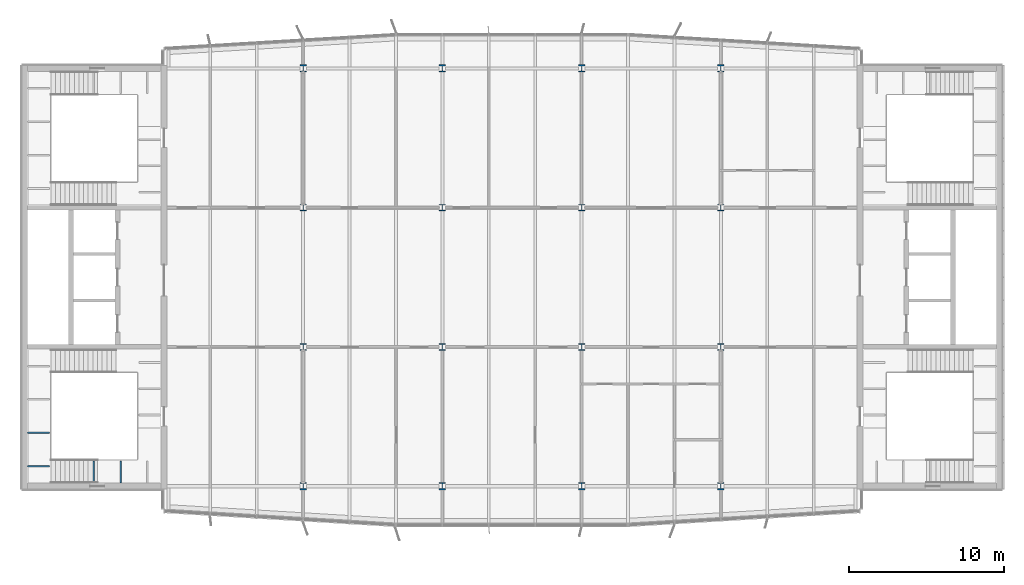
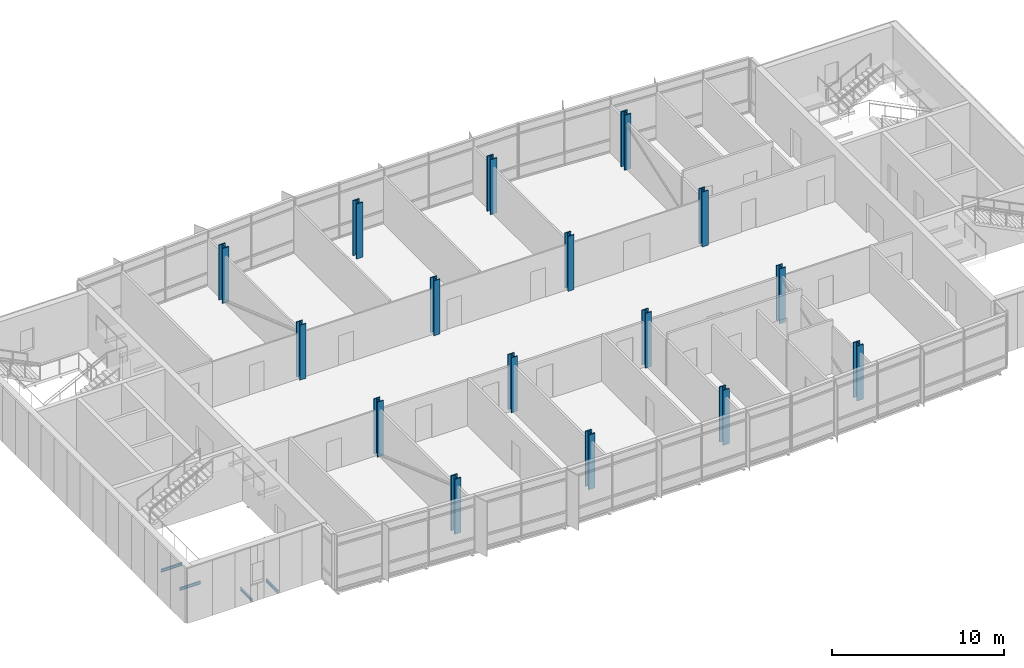
# One storey, part 1 of 17: 16 columns, 4 beams.
"""IFC4 building model written with IfcOpenShell, lengths in metres."""

from ifc_helpers import new_model, si_unit, direction, frame, origin, origin_2d, place, context, subcontext, project, spatial, i_section, extrude, material, material_profile, profile_set, type_object, element, save


model = new_model("IFC4")

# Units and contexts
model_context = context("Model", 3, precision=1e-05, world=origin(), true_north=direction((0.0, 1.0)))
body_context = subcontext(model_context, "Body", "Model", "MODEL_VIEW")
ifc_project = project(units=[si_unit("LENGTHUNIT", "METRE"), si_unit("AREAUNIT", "SQUARE_METRE"), si_unit("VOLUMEUNIT", "CUBIC_METRE"), si_unit("PLANEANGLEUNIT", "RADIAN"), si_unit("MASSUNIT", "GRAM", prefix="KILO")], contexts=[model_context])

# Site, building, storey
site_placement = place(None, origin())
site = spatial("IfcSite", under=ifc_project, at=site_placement, CompositionType="ELEMENT")
building_placement = place(site_placement, origin())
building = spatial("IfcBuilding", under=site, at=building_placement, Name="Azimuth Sports and Learning Centre", CompositionType="ELEMENT")
storey_placement = place(building_placement, frame((0.0, 0.0, 36.300048828125)))
storey = spatial("IfcBuildingStorey", under=building, at=storey_placement, Name="L07", CompositionType="ELEMENT", Elevation=36.300048828125)

# Columns
ifc_material_1 = material(Name="Steel S460", Category="steel")
ifc_material_profile_1 = material_profile(ifc_material_1, i_section(OverallWidth=0.412109375, OverallDepth=0.43505859375, WebThickness=0.035888671875, FlangeThickness=0.057373046875, FilletRadius=0.014892578125, at=origin_2d()), Name="HD 400x463")
ifc_profile_set_1 = profile_set([ifc_material_profile_1], Name="Steel S460")
column_type_1 = type_object("IfcColumnType", Name="Column HD 400x463", PredefinedType="COLUMN", material=ifc_profile_set_1)
for number, where, z_axis, x_axis, name in (
    (1, (72.0, 99.0, 0.0), (0.0, 0.0, 1.0), (1.0, 0.0, 0.0), "Tower column 9M L07"),
    (2, (81.0, 99.0, 0.0), (0.0, 0.0, 1.0), (1.0, 0.0, 0.0), "Tower column 10M L07"),
    (3, (90.0, 99.0, 0.0), (0.0, 0.0, 1.0), (1.0, 0.0, 0.0), "Tower column 11M L07"),
    (4, (99.0, 99.0, 0.0), (0.0, 0.0, 1.0), (1.0, 0.0, 0.0), "Tower column 12M L07"),
    (5, (72.0, 108.0, 0.0), (0.0, 0.0, 1.0), (1.0, 0.0, 0.0), "Tower column 9N L07"),
    (6, (81.0, 108.0, 0.0), (0.0, 0.0, 1.0), (1.0, 0.0, 0.0), "Tower column 10N L07"),
    (7, (90.0, 108.0, 0.0), (0.0, 0.0, 1.0), (1.0, 0.0, 0.0), "Tower column 11N L07"),
    (8, (99.0, 108.0, 0.0), (0.0, 0.0, 1.0), (1.0, 0.0, 0.0), "Tower column 12N L07"),
):
    element("IfcColumn", number, at=place(storey_placement, frame(where, z_axis=z_axis, x_axis=x_axis)), inside=storey, type_object=column_type_1, Name=name, PredefinedType="COLUMN", context=body_context, shape_type="SweptSolid", body=[
        extrude(i_section(OverallWidth=0.412109375, OverallDepth=0.43505859375, WebThickness=0.035888671875, FlangeThickness=0.057373046875, FilletRadius=0.014892578125, at=origin_2d()), origin(), (0.0, 0.0, 1.0), 3.89990234375),
    ])
ifc_material_2 = material(Name="Steel S460", Category="steel")
ifc_material_profile_2 = material_profile(ifc_material_2, i_section(OverallWidth=0.424072265625, OverallDepth=0.47412109375, WebThickness=0.047607421875, FlangeThickness=0.0771484375, FilletRadius=0.014892578125, at=origin_2d()), Name="HD 400x634")
ifc_profile_set_2 = profile_set([ifc_material_profile_2], Name="Steel S460")
column_type_2 = type_object("IfcColumnType", Name="Column HD 400x634", PredefinedType="COLUMN", material=ifc_profile_set_2)
for number, where, z_axis, x_axis, name in (
    (9, (72.0, 90.0, 0.0), (0.0, 0.0, 1.0), (1.0, 0.0, 0.0), "Hall column 9L L07"),
    (10, (81.0, 90.0, 0.0), (0.0, 0.0, 1.0), (1.0, 0.0, 0.0), "Hall column 10L L07"),
    (11, (90.0, 90.0, 0.0), (0.0, 0.0, 1.0), (1.0, 0.0, 0.0), "Hall column 11L L07"),
    (12, (99.0, 90.0, 0.0), (0.0, 0.0, 1.0), (1.0, 0.0, 0.0), "Hall column 12L L07"),
    (13, (72.0, 117.0, 0.0), (0.0, 0.0, 1.0), (1.0, 0.0, 0.0), "Hall column 9P L07"),
    (14, (81.0, 117.0, 0.0), (0.0, 0.0, 1.0), (1.0, 0.0, 0.0), "Hall column 10P L07"),
    (15, (90.0, 117.0, 0.0), (0.0, 0.0, 1.0), (1.0, 0.0, 0.0), "Hall column 11P L07"),
    (16, (99.0, 117.0, 0.0), (0.0, 0.0, 1.0), (1.0, 0.0, 0.0), "Hall column 12P L07"),
):
    element("IfcColumn", number, at=place(storey_placement, frame(where, z_axis=z_axis, x_axis=x_axis)), inside=storey, type_object=column_type_2, Name=name, PredefinedType="COLUMN", context=body_context, shape_type="SweptSolid", body=[
        extrude(i_section(OverallWidth=0.424072265625, OverallDepth=0.47412109375, WebThickness=0.047607421875, FlangeThickness=0.0771484375, FilletRadius=0.014892578125, at=origin_2d()), origin(), (0.0, 0.0, 1.0), 3.89990234375),
    ])

# Beams
ifc_material_3 = material(Name="Steel S355", Category="steel")
ifc_material_profile_3 = material_profile(ifc_material_3, i_section(OverallWidth=0.10009765625, OverallDepth=0.199951171875, WebThickness=0.005615234375, FlangeThickness=0.008544921875, FilletRadius=0.011962890625, at=origin_2d()), Name="IPE 200")
ifc_profile_set_3 = profile_set([ifc_material_profile_3], Name="Steel S355")
beam_type = type_object("IfcBeamType", Name="Beam IPE 200", PredefinedType="BEAM", material=ifc_profile_set_3)
for number, where, z_axis, x_axis, name in (
    (17, (58.473388671875, 90.199951171875, -0.300048828125), (0.0, 1.0, 0.0), (-1.0, 0.0, 0.0), "Landing bracket W1 L07 69"),
    (18, (60.199951171875, 90.199951171875, -0.300048828125), (0.0, 1.0, 0.0), (-1.0, 0.0, 0.0), "Landing bracket W1 L07 70"),
    (19, (54.199951171875, 91.288818359375, 1.349853515625), (1.0, 0.0, 0.0), (0.0, 1.0, 0.0), "Landing bracket W1 L07 72"),
    (20, (54.199951171875, 93.4462890625, 1.349853515625), (1.0, 0.0, 0.0), (0.0, 1.0, 0.0), "Landing bracket W1 L07 73"),
):
    element("IfcBeam", number, at=place(storey_placement, frame(where, z_axis=z_axis, x_axis=x_axis)), inside=storey, type_object=beam_type, Name=name, PredefinedType="BEAM", context=body_context, shape_type="SweptSolid", body=[
        extrude(i_section(OverallWidth=0.10009765625, OverallDepth=0.199951171875, WebThickness=0.005615234375, FlangeThickness=0.008544921875, FilletRadius=0.011962890625, at=origin_2d()), origin(), (0.0, 0.0, 1.0), 1.41015625),
    ])

save(model, "model.ifc")
